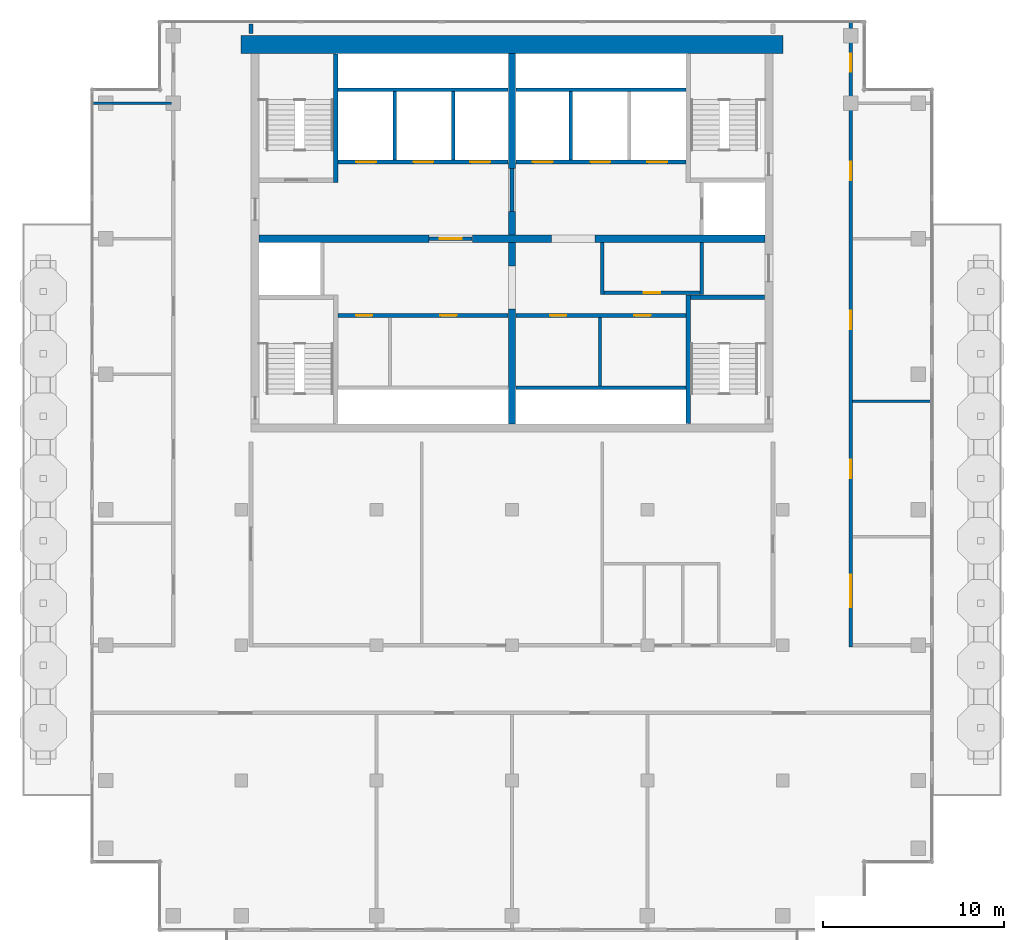
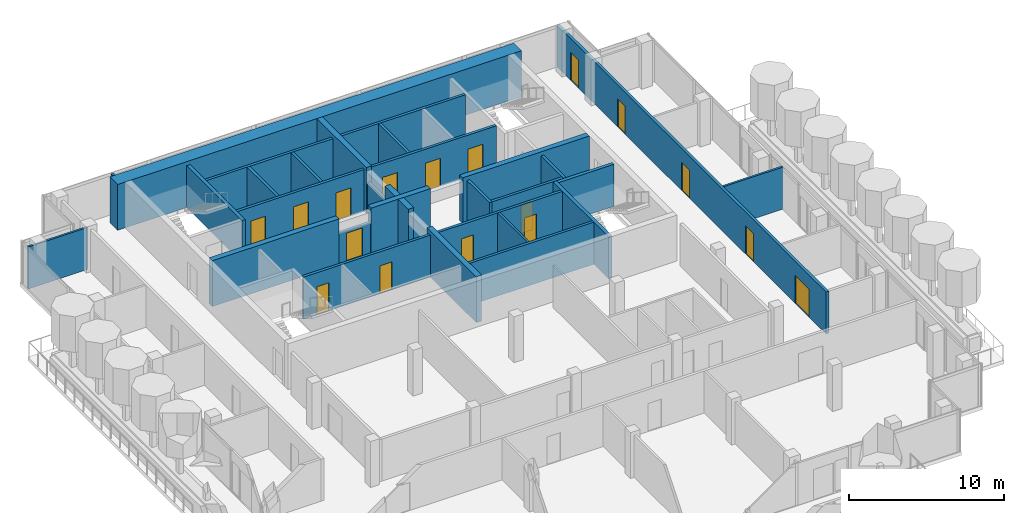
# One storey, part 8 of 12: 31 walls, 17 doors, 17 openings.
"""IFC4 building model written with IfcOpenShell, lengths in metres."""

from ifc_helpers import new_model, si_unit, direction, frame, frame_2d, origin, place, context, subcontext, project, spatial, rectangle, extrude, material, layer, layer_set, type_object, element, fill, save


model = new_model("IFC4")

# Units and contexts
model_context = context("Model", 3, precision=1e-05, world=origin(), true_north=direction((0.0, 1.0)))
body_context = subcontext(model_context, "Body", "Model", "MODEL_VIEW")
ifc_project = project(units=[si_unit("LENGTHUNIT", "METRE"), si_unit("AREAUNIT", "SQUARE_METRE"), si_unit("VOLUMEUNIT", "CUBIC_METRE"), si_unit("PLANEANGLEUNIT", "RADIAN"), si_unit("MASSUNIT", "GRAM", prefix="KILO")], contexts=[model_context])

# Site, building, storey
site_placement = place(None, origin())
site = spatial("IfcSite", under=ifc_project, at=site_placement, CompositionType="ELEMENT")
building_placement = place(site_placement, origin())
building = spatial("IfcBuilding", under=site, at=building_placement, Name="Pilkhan Gate Tower", CompositionType="ELEMENT")
storey_placement = place(building_placement, frame((0.0, 0.0, 258.5)))
storey = spatial("IfcBuildingStorey", under=building, at=storey_placement, Name="L67", CompositionType="ELEMENT", Elevation=258.5)

# Walls
ifc_material_1 = material(Name="Concrete C50/60", Category="concrete")
ifc_layer_1 = layer(ifc_material_1, 1.0)
ifc_layer_set_1 = layer_set([ifc_layer_1], Name="Core wall CW1000 C50/60")
wall_type_1 = type_object("IfcWallType", Name="Core wall CW1000 C50/60", PredefinedType="SHEAR", material=ifc_layer_set_1)
wall_1_placement = place(storey_placement, frame((90.0, 93.25, 0.0), z_axis=(0.0, 0.0, 1.0), x_axis=(-1.0, 0.0, 0.0)))
element("IfcWall", 1, at=wall_1_placement, inside=storey, type_object=wall_type_1, Name="Core wall N L67", PredefinedType="SHEAR", context=body_context, shape_type="SweptSolid", body=[
    extrude(rectangle(XDim=30.0, YDim=1.0, at=frame_2d((15.0, 0.0))), origin(), (0.0, 0.0, 1.0), 3.60009765625),
])
ifc_material_2 = material(Name="Dense blockwork", Category="masonry")
ifc_layer_2 = layer(ifc_material_2, 0.199951171875)
ifc_layer_set_2 = layer_set([ifc_layer_2], Name="Corridor wall FW200")
wall_type_2 = type_object("IfcWallType", Name="Corridor wall FW200", PredefinedType="PARTITIONING", material=ifc_layer_set_2)
wall_2_placement = place(storey_placement, frame((60.550048828125, 93.8701171875, 0.0), z_axis=(0.0, 0.0, 1.0), x_axis=(0.0, 1.0, 0.0)))
element("IfcWall", 2, at=wall_2_placement, inside=storey, type_object=wall_type_2, Name="Partition L67", PredefinedType="PARTITIONING", context=body_context, shape_type="SweptSolid", body=[
    extrude(rectangle(XDim=0.52490234375, YDim=0.199951171875, at=frame_2d((0.262451171875, 0.0))), origin(), (0.0, 0.0, 1.0), 3.300048828125),
])

# Wall, openings, doors
wall_3_placement = place(storey_placement, frame((93.75, 59.89990234375, 0.0), z_axis=(0.0, 0.0, 1.0), x_axis=(0.0, 1.0, 0.0)))
wall_3 = element("IfcWall", 3, at=wall_3_placement, inside=storey, type_object=wall_type_2, Name="Partition L67", PredefinedType="PARTITIONING", context=body_context, shape_type="SweptSolid", body=[
    extrude(rectangle(XDim=34.614990234375, YDim=0.199951171875, at=frame_2d((17.3076171875, 0.0))), origin(), (0.0, 0.0, 1.0), 3.300048828125),
])
opening_1_placement = place(wall_3_placement, frame((2.199951171875, 0.0, 0.0)))
opening_1 = element("IfcOpeningElement", 4, at=opening_1_placement, cuts=wall_3, Name="Opening L67-26", PredefinedType="OPENING", context=body_context, shape_type="SweptSolid", body=[
    extrude(rectangle(XDim=1.800048828125, YDim=2.199951171875, at=frame_2d((0.89990234375, 1.10009765625))), frame((0.0, 0.10986328125, 0.0), z_axis=(0.0, -1.0, 0.0), x_axis=(1.0, 0.0, 0.0)), (0.0, 0.0, 1.0), 0.219970703125),
])
opening_2_placement = place(wall_3_placement, frame((9.35009765625, 0.0, 0.0)))
opening_2 = element("IfcOpeningElement", 5, at=opening_2_placement, cuts=wall_3, Name="Opening L67-27", PredefinedType="OPENING", context=body_context, shape_type="SweptSolid", body=[
    extrude(rectangle(XDim=1.0, YDim=2.199951171875, at=frame_2d((0.5, 1.10009765625))), frame((0.0, 0.10986328125, 0.0), z_axis=(0.0, -1.0, 0.0), x_axis=(1.0, 0.0, 0.0)), (0.0, 0.0, 1.0), 0.219970703125),
])
opening_3_placement = place(wall_3_placement, frame((17.60009765625, 0.0, 0.0)))
opening_3 = element("IfcOpeningElement", 6, at=opening_3_placement, cuts=wall_3, Name="Opening L67-28", PredefinedType="OPENING", context=body_context, shape_type="SweptSolid", body=[
    extrude(rectangle(XDim=1.0, YDim=2.199951171875, at=frame_2d((0.5, 1.10009765625))), frame((0.0, 0.10986328125, 0.0), z_axis=(0.0, -1.0, 0.0), x_axis=(1.0, 0.0, 0.0)), (0.0, 0.0, 1.0), 0.219970703125),
])
opening_4_placement = place(wall_3_placement, frame((25.85009765625, 0.0, 0.0)))
opening_4 = element("IfcOpeningElement", 7, at=opening_4_placement, cuts=wall_3, Name="Opening L67-29", PredefinedType="OPENING", context=body_context, shape_type="SweptSolid", body=[
    extrude(rectangle(XDim=1.0, YDim=2.199951171875, at=frame_2d((0.5, 1.10009765625))), frame((0.0, 0.10986328125, 0.0), z_axis=(0.0, -1.0, 0.0), x_axis=(1.0, 0.0, 0.0)), (0.0, 0.0, 1.0), 0.219970703125),
])
opening_5_placement = place(wall_3_placement, frame((31.85009765625, 0.0, 0.0)))
opening_5 = element("IfcOpeningElement", 8, at=opening_5_placement, cuts=wall_3, Name="Opening L67-30", PredefinedType="OPENING", context=body_context, shape_type="SweptSolid", body=[
    extrude(rectangle(XDim=1.0, YDim=2.199951171875, at=frame_2d((0.5, 1.10009765625))), frame((0.0, 0.10986328125, 0.0), z_axis=(0.0, -1.0, 0.0), x_axis=(1.0, 0.0, 0.0)), (0.0, 0.0, 1.0), 0.219970703125),
])
ifc_material_3 = material(Name="Timber glazed double door, 30 minute fire resisting", Category="wood")
door_type_1 = type_object("IfcDoorType", Name="Double door D04 1800x2200", OperationType="DOUBLE_DOOR_SINGLE_SWING", PredefinedType="DOOR", material=ifc_material_3)
door_1_placement = place(opening_1_placement, origin())
door_1 = element("IfcDoor", 9, at=door_1_placement, inside=storey, type_object=door_type_1, Name="Double door", OperationType="DOUBLE_DOOR_SINGLE_SWING", OverallHeight=2.199951171875, OverallWidth=1.800048828125, PredefinedType="DOOR", context=body_context, shape_type="SweptSolid", body=[
    extrude(rectangle(XDim=1.800048828125, YDim=2.199951171875, at=frame_2d((0.89990234375, 1.10009765625))), frame((0.0, 0.02490234375, 0.0), z_axis=(0.0, -1.0, 0.0), x_axis=(1.0, 0.0, 0.0)), (0.0, 0.0, 1.0), 0.050048828125),
])
fill(opening_1, door_1)
ifc_material_4 = material(Name="Timber flush door, 30 minute fire resisting", Category="wood")
door_type_2 = type_object("IfcDoorType", Name="Room door D03 1000x2200", OperationType="SINGLE_SWING_LEFT", PredefinedType="DOOR", material=ifc_material_4)
door_2_placement = place(opening_2_placement, origin())
door_2 = element("IfcDoor", 10, at=door_2_placement, inside=storey, type_object=door_type_2, Name="Room door", OperationType="SINGLE_SWING_LEFT", OverallHeight=2.199951171875, OverallWidth=1.0, PredefinedType="DOOR", context=body_context, shape_type="SweptSolid", body=[
    extrude(rectangle(XDim=1.0, YDim=2.199951171875, at=frame_2d((0.5, 1.10009765625))), frame((0.0, 0.02490234375, 0.0), z_axis=(0.0, -1.0, 0.0), x_axis=(1.0, 0.0, 0.0)), (0.0, 0.0, 1.0), 0.050048828125),
])
fill(opening_2, door_2)
door_3_placement = place(opening_3_placement, origin())
door_3 = element("IfcDoor", 11, at=door_3_placement, inside=storey, type_object=door_type_2, Name="Room door", OperationType="SINGLE_SWING_LEFT", OverallHeight=2.199951171875, OverallWidth=1.0, PredefinedType="DOOR", context=body_context, shape_type="SweptSolid", body=[
    extrude(rectangle(XDim=1.0, YDim=2.199951171875, at=frame_2d((0.5, 1.10009765625))), frame((0.0, 0.02490234375, 0.0), z_axis=(0.0, -1.0, 0.0), x_axis=(1.0, 0.0, 0.0)), (0.0, 0.0, 1.0), 0.050048828125),
])
fill(opening_3, door_3)
door_4_placement = place(opening_4_placement, origin())
door_4 = element("IfcDoor", 12, at=door_4_placement, inside=storey, type_object=door_type_2, Name="Room door", OperationType="SINGLE_SWING_LEFT", OverallHeight=2.199951171875, OverallWidth=1.0, PredefinedType="DOOR", context=body_context, shape_type="SweptSolid", body=[
    extrude(rectangle(XDim=1.0, YDim=2.199951171875, at=frame_2d((0.5, 1.10009765625))), frame((0.0, 0.02490234375, 0.0), z_axis=(0.0, -1.0, 0.0), x_axis=(1.0, 0.0, 0.0)), (0.0, 0.0, 1.0), 0.050048828125),
])
fill(opening_4, door_4)
door_5_placement = place(opening_5_placement, origin())
door_5 = element("IfcDoor", 13, at=door_5_placement, inside=storey, type_object=door_type_2, Name="Room door", OperationType="SINGLE_SWING_LEFT", OverallHeight=2.199951171875, OverallWidth=1.0, PredefinedType="DOOR", context=body_context, shape_type="SweptSolid", body=[
    extrude(rectangle(XDim=1.0, YDim=2.199951171875, at=frame_2d((0.5, 1.10009765625))), frame((0.0, 0.02490234375, 0.0), z_axis=(0.0, -1.0, 0.0), x_axis=(1.0, 0.0, 0.0)), (0.0, 0.0, 1.0), 0.050048828125),
])
fill(opening_5, door_5)

# Wall
ifc_layer_3 = layer(ifc_material_2, 0.199951171875)
ifc_layer_set_3 = layer_set([ifc_layer_3], Name="Lobby wall LW200")
wall_type_3 = type_object("IfcWallType", Name="Lobby wall LW200", PredefinedType="PARTITIONING", material=ifc_layer_set_3)
wall_4_placement = place(storey_placement, frame((75.2099609375, 74.25, 0.0), z_axis=(0.0, 0.0, 1.0), x_axis=(1.0, 0.0, 0.0)))
element("IfcWall", 14, at=wall_4_placement, inside=storey, type_object=wall_type_3, Name="Partition L67", PredefinedType="PARTITIONING", context=body_context, shape_type="SweptSolid", body=[
    extrude(rectangle(XDim=9.4150390625, YDim=0.199951171875, at=frame_2d((4.70751953125, 0.0))), origin(), (0.0, 0.0, 1.0), 3.300048828125),
])

# Wall, openings, doors
wall_5_placement = place(storey_placement, frame((65.375, 78.25, 0.0), z_axis=(0.0, 0.0, 1.0), x_axis=(1.0, 0.0, 0.0)))
wall_5 = element("IfcWall", 15, at=wall_5_placement, inside=storey, type_object=wall_type_3, Name="Partition L67", PredefinedType="PARTITIONING", context=body_context, shape_type="SweptSolid", body=[
    extrude(rectangle(XDim=9.4150390625, YDim=0.199951171875, at=frame_2d((4.70751953125, 0.0))), origin(), (0.0, 0.0, 1.0), 3.300048828125),
])
opening_6_placement = place(wall_5_placement, frame((1.0, 0.0, 0.0)))
opening_6 = element("IfcOpeningElement", 16, at=opening_6_placement, cuts=wall_5, Name="Opening L67-11", PredefinedType="OPENING", context=body_context, shape_type="SweptSolid", body=[
    extrude(rectangle(XDim=0.89990234375, YDim=2.199951171875, at=frame_2d((0.449951171875, 1.10009765625))), frame((0.0, 0.10986328125, 0.0), z_axis=(0.0, -1.0, 0.0), x_axis=(1.0, 0.0, 0.0)), (0.0, 0.0, 1.0), 0.219970703125),
])
opening_7_placement = place(wall_5_placement, frame((5.6650390625, 0.0, 0.0)))
opening_7 = element("IfcOpeningElement", 17, at=opening_7_placement, cuts=wall_5, Name="Opening L67-12", PredefinedType="OPENING", context=body_context, shape_type="SweptSolid", body=[
    extrude(rectangle(XDim=0.89990234375, YDim=2.199951171875, at=frame_2d((0.449951171875, 1.10009765625))), frame((0.0, 0.10986328125, 0.0), z_axis=(0.0, -1.0, 0.0), x_axis=(1.0, 0.0, 0.0)), (0.0, 0.0, 1.0), 0.219970703125),
])
ifc_material_5 = material(Name="Timber flush door, 60 minute fire resisting, self-closing", Category="wood")
door_type_3 = type_object("IfcDoorType", Name="Store door D05 900x2200", OperationType="SINGLE_SWING_LEFT", PredefinedType="DOOR", material=ifc_material_5)
door_6_placement = place(opening_6_placement, origin())
door_6 = element("IfcDoor", 18, at=door_6_placement, inside=storey, type_object=door_type_3, Name="Store door", OperationType="SINGLE_SWING_LEFT", OverallHeight=2.199951171875, OverallWidth=0.89990234375, PredefinedType="DOOR", context=body_context, shape_type="SweptSolid", body=[
    extrude(rectangle(XDim=0.89990234375, YDim=2.199951171875, at=frame_2d((0.449951171875, 1.10009765625))), frame((0.0, 0.02490234375, 0.0), z_axis=(0.0, -1.0, 0.0), x_axis=(1.0, 0.0, 0.0)), (0.0, 0.0, 1.0), 0.050048828125),
])
fill(opening_6, door_6)
door_7_placement = place(opening_7_placement, origin())
door_7 = element("IfcDoor", 19, at=door_7_placement, inside=storey, type_object=door_type_3, Name="Store door", OperationType="SINGLE_SWING_LEFT", OverallHeight=2.199951171875, OverallWidth=0.89990234375, PredefinedType="DOOR", context=body_context, shape_type="SweptSolid", body=[
    extrude(rectangle(XDim=0.89990234375, YDim=2.199951171875, at=frame_2d((0.449951171875, 1.10009765625))), frame((0.0, 0.02490234375, 0.0), z_axis=(0.0, -1.0, 0.0), x_axis=(1.0, 0.0, 0.0)), (0.0, 0.0, 1.0), 0.050048828125),
])
fill(opening_7, door_7)

wall_6_placement = place(storey_placement, frame((75.2099609375, 78.25, 0.0), z_axis=(0.0, 0.0, 1.0), x_axis=(1.0, 0.0, 0.0)))
wall_6 = element("IfcWall", 20, at=wall_6_placement, inside=storey, type_object=wall_type_3, Name="Partition L67", PredefinedType="PARTITIONING", context=body_context, shape_type="SweptSolid", body=[
    extrude(rectangle(XDim=9.4150390625, YDim=0.199951171875, at=frame_2d((4.70751953125, 0.0))), origin(), (0.0, 0.0, 1.0), 3.300048828125),
])
opening_8_placement = place(wall_6_placement, frame((1.89990234375, 0.0, 0.0)))
opening_8 = element("IfcOpeningElement", 21, at=opening_8_placement, cuts=wall_6, Name="Opening L67-13", PredefinedType="OPENING", context=body_context, shape_type="SweptSolid", body=[
    extrude(rectangle(XDim=0.89990234375, YDim=2.199951171875, at=frame_2d((0.449951171875, 1.10009765625))), frame((0.0, 0.10986328125, 0.0), z_axis=(0.0, -1.0, 0.0), x_axis=(1.0, 0.0, 0.0)), (0.0, 0.0, 1.0), 0.219970703125),
])
opening_9_placement = place(wall_6_placement, frame((6.56494140625, 0.0, 0.0)))
opening_9 = element("IfcOpeningElement", 22, at=opening_9_placement, cuts=wall_6, Name="Opening L67-14", PredefinedType="OPENING", context=body_context, shape_type="SweptSolid", body=[
    extrude(rectangle(XDim=0.89990234375, YDim=2.199951171875, at=frame_2d((0.449951171875, 1.10009765625))), frame((0.0, 0.10986328125, 0.0), z_axis=(0.0, -1.0, 0.0), x_axis=(1.0, 0.0, 0.0)), (0.0, 0.0, 1.0), 0.219970703125),
])
door_8_placement = place(opening_8_placement, origin())
door_8 = element("IfcDoor", 23, at=door_8_placement, inside=storey, type_object=door_type_3, Name="Store door", OperationType="SINGLE_SWING_RIGHT", OverallHeight=2.199951171875, OverallWidth=0.89990234375, PredefinedType="DOOR", context=body_context, shape_type="SweptSolid", body=[
    extrude(rectangle(XDim=0.89990234375, YDim=2.199951171875, at=frame_2d((0.449951171875, 1.10009765625))), frame((0.0, 0.02490234375, 0.0), z_axis=(0.0, -1.0, 0.0), x_axis=(1.0, 0.0, 0.0)), (0.0, 0.0, 1.0), 0.050048828125),
])
fill(opening_8, door_8)
door_9_placement = place(opening_9_placement, origin())
door_9 = element("IfcDoor", 24, at=door_9_placement, inside=storey, type_object=door_type_3, Name="Store door", OperationType="SINGLE_SWING_RIGHT", OverallHeight=2.199951171875, OverallWidth=0.89990234375, PredefinedType="DOOR", context=body_context, shape_type="SweptSolid", body=[
    extrude(rectangle(XDim=0.89990234375, YDim=2.199951171875, at=frame_2d((0.449951171875, 1.10009765625))), frame((0.0, 0.02490234375, 0.0), z_axis=(0.0, -1.0, 0.0), x_axis=(1.0, 0.0, 0.0)), (0.0, 0.0, 1.0), 0.050048828125),
])
fill(opening_9, door_9)

# Wall, opening, door
wall_7_placement = place(storey_placement, frame((80.10009765625, 79.5, 0.0), z_axis=(0.0, 0.0, 1.0), x_axis=(1.0, 0.0, 0.0)))
wall_7 = element("IfcWall", 25, at=wall_7_placement, inside=storey, type_object=wall_type_3, Name="Partition L67", PredefinedType="PARTITIONING", context=body_context, shape_type="SweptSolid", body=[
    extrude(rectangle(XDim=5.2998046875, YDim=0.199951171875, at=frame_2d((2.64990234375, 0.0))), origin(), (0.0, 0.0, 1.0), 3.300048828125),
])
opening_10_placement = place(wall_7_placement, frame((2.199951171875, 0.0, 0.0)))
opening_10 = element("IfcOpeningElement", 26, at=opening_10_placement, cuts=wall_7, Name="Opening L67-09", PredefinedType="OPENING", context=body_context, shape_type="SweptSolid", body=[
    extrude(rectangle(XDim=0.89990234375, YDim=2.199951171875, at=frame_2d((0.449951171875, 1.10009765625))), frame((0.0, 0.10986328125, 0.0), z_axis=(0.0, -1.0, 0.0), x_axis=(1.0, 0.0, 0.0)), (0.0, 0.0, 1.0), 0.219970703125),
])
door_10_placement = place(opening_10_placement, origin())
door_10 = element("IfcDoor", 27, at=door_10_placement, inside=storey, type_object=door_type_3, Name="Store door", OperationType="SINGLE_SWING_LEFT", OverallHeight=2.199951171875, OverallWidth=0.89990234375, PredefinedType="DOOR", context=body_context, shape_type="SweptSolid", body=[
    extrude(rectangle(XDim=0.89990234375, YDim=2.199951171875, at=frame_2d((0.449951171875, 1.10009765625))), frame((0.0, 0.02490234375, 0.0), z_axis=(0.0, -1.0, 0.0), x_axis=(1.0, 0.0, 0.0)), (0.0, 0.0, 1.0), 0.050048828125),
])
fill(opening_10, door_10)

wall_8_placement = place(storey_placement, frame((70.409912109375, 82.5, 0.0), z_axis=(0.0, 0.0, 1.0), x_axis=(1.0, 0.0, 0.0)))
wall_8 = element("IfcWall", 28, at=wall_8_placement, inside=storey, type_object=wall_type_3, Name="Partition L67", PredefinedType="PARTITIONING", context=body_context, shape_type="SweptSolid", body=[
    extrude(rectangle(XDim=2.380126953125, YDim=0.199951171875, at=frame_2d((1.18994140625, 0.0))), origin(), (0.0, 0.0, 1.0), 2.39990234375),
])
opening_11_placement = place(wall_8_placement, frame((0.60009765625, 0.0, 0.0)))
opening_11 = element("IfcOpeningElement", 29, at=opening_11_placement, cuts=wall_8, Name="Opening L67-01", PredefinedType="OPENING", context=body_context, shape_type="SweptSolid", body=[
    extrude(rectangle(XDim=1.199951171875, YDim=2.199951171875, at=frame_2d((0.60009765625, 1.10009765625))), frame((0.0, 0.10986328125, 0.0), z_axis=(0.0, -1.0, 0.0), x_axis=(1.0, 0.0, 0.0)), (0.0, 0.0, 1.0), 0.219970703125),
])
ifc_material_6 = material(Name="Steel door, 120 minute fire resisting, self-closing", Category="steel")
door_type_4 = type_object("IfcDoorType", Name="Firefighting lobby door D10 1200x2200", OperationType="SINGLE_SWING_LEFT", PredefinedType="DOOR", material=ifc_material_6)
door_11_placement = place(opening_11_placement, origin())
door_11 = element("IfcDoor", 30, at=door_11_placement, inside=storey, type_object=door_type_4, Name="Firefighting lobby door", OperationType="SINGLE_SWING_LEFT", OverallHeight=2.199951171875, OverallWidth=1.199951171875, PredefinedType="DOOR", context=body_context, shape_type="SweptSolid", body=[
    extrude(rectangle(XDim=1.199951171875, YDim=2.199951171875, at=frame_2d((0.60009765625, 1.10009765625))), frame((0.0, 0.02490234375, 0.0), z_axis=(0.0, -1.0, 0.0), x_axis=(1.0, 0.0, 0.0)), (0.0, 0.0, 1.0), 0.050048828125),
])
fill(opening_11, door_11)

# Walls
wall_9_placement = place(storey_placement, frame((75.0, 84.010009765625, 0.0), z_axis=(0.0, 0.0, 1.0), x_axis=(0.0, 1.0, 0.0)))
element("IfcWall", 31, at=wall_9_placement, inside=storey, type_object=wall_type_3, Name="Partition L67", PredefinedType="PARTITIONING", context=body_context, shape_type="SweptSolid", body=[
    extrude(rectangle(XDim=2.3798828125, YDim=0.199951171875, at=frame_2d((1.18994140625, 0.0))), origin(), (0.0, 0.0, 1.0), 2.39990234375),
])
for number, where, z_axis, x_axis, name in (
    (32, (80.0, 79.39990234375, 0.0), (0.0, 0.0, 1.0), (0.0, 1.0, 0.0), "Partition L67"),
    (33, (85.5, 79.39990234375, 0.0), (0.0, 0.0, 1.0), (0.0, 1.0, 0.0), "Partition L67"),
):
    element("IfcWall", number, at=place(storey_placement, frame(where, z_axis=z_axis, x_axis=x_axis)), inside=storey, type_object=wall_type_3, Name=name, PredefinedType="PARTITIONING", context=body_context, shape_type="SweptSolid", body=[
        extrude(rectangle(XDim=2.89013671875, YDim=0.199951171875, at=frame_2d((1.445068359375, 0.0))), origin(), (0.0, 0.0, 1.0), 3.300048828125),
    ])
ifc_material_7 = material(Name="Blockwork partition, plastered both sides", Category="masonry")
ifc_layer_4 = layer(ifc_material_7, 0.14990234375)
ifc_layer_set_4 = layer_set([ifc_layer_4], Name="Partition PW150")
wall_type_4 = type_object("IfcWallType", Name="Partition PW150", PredefinedType="PARTITIONING", material=ifc_layer_set_4)
for number, where, z_axis, x_axis, name in (
    (34, (93.85009765625, 73.5, 0.0), (0.0, 0.0, 1.0), (1.0, 0.0, 0.0), "Partition L67"),
    (35, (51.735107421875, 90.0, 0.0), (0.0, 0.0, 1.0), (1.0, 0.0, 0.0), "Partition L67"),
):
    element("IfcWall", number, at=place(storey_placement, frame(where, z_axis=z_axis, x_axis=x_axis)), inside=storey, type_object=wall_type_4, Name=name, PredefinedType="PARTITIONING", context=body_context, shape_type="SweptSolid", body=[
        extrude(rectangle(XDim=4.414794921875, YDim=0.14990234375, at=frame_2d((2.20751953125, 0.0))), origin(), (0.0, 0.0, 1.0), 3.300048828125),
    ])
wall_10_placement = place(storey_placement, frame((79.875, 74.35009765625, 0.0), z_axis=(0.0, 0.0, 1.0), x_axis=(0.0, 1.0, 0.0)))
element("IfcWall", 36, at=wall_10_placement, inside=storey, type_object=wall_type_4, Name="Partition L67", PredefinedType="PARTITIONING", context=body_context, shape_type="SweptSolid", body=[
    extrude(rectangle(XDim=3.7998046875, YDim=0.14990234375, at=frame_2d((1.89990234375, 0.0))), origin(), (0.0, 0.0, 1.0), 3.300048828125),
])

# Wall, openings, doors
ifc_material_8 = material(Name="Reinforced blockwork shaft wall, 120 minute fire resisting", Category="masonry")
ifc_layer_5 = layer(ifc_material_8, 0.199951171875)
ifc_layer_set_5 = layer_set([ifc_layer_5], Name="Shaft wall SW200")
wall_type_5 = type_object("IfcWallType", Name="Shaft wall SW200", PredefinedType="PARTITIONING", material=ifc_layer_set_5)
wall_11_placement = place(storey_placement, frame((65.375, 86.75, 0.0), z_axis=(0.0, 0.0, 1.0), x_axis=(1.0, 0.0, 0.0)))
wall_11 = element("IfcWall", 37, at=wall_11_placement, inside=storey, type_object=wall_type_5, Name="Partition L67", PredefinedType="PARTITIONING", context=body_context, shape_type="SweptSolid", body=[
    extrude(rectangle(XDim=9.4150390625, YDim=0.199951171875, at=frame_2d((4.70751953125, 0.0))), origin(), (0.0, 0.0, 1.0), 3.300048828125),
])
opening_12_placement = place(wall_11_placement, frame((1.0, 0.0, 0.0)))
opening_12 = element("IfcOpeningElement", 38, at=opening_12_placement, cuts=wall_11, Name="Opening LD", PredefinedType="OPENING", context=body_context, shape_type="SweptSolid", body=[
    extrude(rectangle(XDim=1.10009765625, YDim=2.199951171875, at=frame_2d((0.550048828125, 1.10009765625))), frame((0.0, 0.10986328125, 0.0), z_axis=(0.0, -1.0, 0.0), x_axis=(1.0, 0.0, 0.0)), (0.0, 0.0, 1.0), 0.219970703125),
])
opening_13_placement = place(wall_11_placement, frame((4.175048828125, 0.0, 0.0)))
opening_13 = element("IfcOpeningElement", 39, at=opening_13_placement, cuts=wall_11, Name="Opening LD", PredefinedType="OPENING", context=body_context, shape_type="SweptSolid", body=[
    extrude(rectangle(XDim=1.10009765625, YDim=2.199951171875, at=frame_2d((0.550048828125, 1.10009765625))), frame((0.0, 0.10986328125, 0.0), z_axis=(0.0, -1.0, 0.0), x_axis=(1.0, 0.0, 0.0)), (0.0, 0.0, 1.0), 0.219970703125),
])
opening_14_placement = place(wall_11_placement, frame((7.324951171875, 0.0, 0.0)))
opening_14 = element("IfcOpeningElement", 40, at=opening_14_placement, cuts=wall_11, Name="Opening LD", PredefinedType="OPENING", context=body_context, shape_type="SweptSolid", body=[
    extrude(rectangle(XDim=1.10009765625, YDim=2.199951171875, at=frame_2d((0.550048828125, 1.10009765625))), frame((0.0, 0.10986328125, 0.0), z_axis=(0.0, -1.0, 0.0), x_axis=(1.0, 0.0, 0.0)), (0.0, 0.0, 1.0), 0.219970703125),
])
ifc_material_9 = material(Name="Stainless steel centre-opening landing door, 120 minute fire resisting", Category="steel")
door_type_5 = type_object("IfcDoorType", Name="Lift landing door LD 1100x2200", OperationType="DOUBLE_DOOR_SLIDING", PredefinedType="DOOR", material=ifc_material_9)
door_12_placement = place(opening_12_placement, origin())
door_12 = element("IfcDoor", 41, at=door_12_placement, inside=storey, type_object=door_type_5, Name="Landing door FF1", OperationType="DOUBLE_DOOR_SLIDING", OverallHeight=2.199951171875, OverallWidth=1.10009765625, PredefinedType="DOOR", context=body_context, shape_type="SweptSolid", body=[
    extrude(rectangle(XDim=1.10009765625, YDim=2.199951171875, at=frame_2d((0.550048828125, 1.10009765625))), frame((0.0, 0.02490234375, 0.0), z_axis=(0.0, -1.0, 0.0), x_axis=(1.0, 0.0, 0.0)), (0.0, 0.0, 1.0), 0.050048828125),
])
fill(opening_12, door_12)
door_13_placement = place(opening_13_placement, origin())
door_13 = element("IfcDoor", 42, at=door_13_placement, inside=storey, type_object=door_type_5, Name="Landing door FF2", OperationType="DOUBLE_DOOR_SLIDING", OverallHeight=2.199951171875, OverallWidth=1.10009765625, PredefinedType="DOOR", context=body_context, shape_type="SweptSolid", body=[
    extrude(rectangle(XDim=1.10009765625, YDim=2.199951171875, at=frame_2d((0.550048828125, 1.10009765625))), frame((0.0, 0.02490234375, 0.0), z_axis=(0.0, -1.0, 0.0), x_axis=(1.0, 0.0, 0.0)), (0.0, 0.0, 1.0), 0.050048828125),
])
fill(opening_13, door_13)
door_14_placement = place(opening_14_placement, origin())
door_14 = element("IfcDoor", 43, at=door_14_placement, inside=storey, type_object=door_type_5, Name="Landing door SV1", OperationType="DOUBLE_DOOR_SLIDING", OverallHeight=2.199951171875, OverallWidth=1.10009765625, PredefinedType="DOOR", context=body_context, shape_type="SweptSolid", body=[
    extrude(rectangle(XDim=1.10009765625, YDim=2.199951171875, at=frame_2d((0.550048828125, 1.10009765625))), frame((0.0, 0.02490234375, 0.0), z_axis=(0.0, -1.0, 0.0), x_axis=(1.0, 0.0, 0.0)), (0.0, 0.0, 1.0), 0.050048828125),
])
fill(opening_14, door_14)

wall_12_placement = place(storey_placement, frame((75.2099609375, 86.75, 0.0), z_axis=(0.0, 0.0, 1.0), x_axis=(1.0, 0.0, 0.0)))
wall_12 = element("IfcWall", 44, at=wall_12_placement, inside=storey, type_object=wall_type_5, Name="Partition L67", PredefinedType="PARTITIONING", context=body_context, shape_type="SweptSolid", body=[
    extrude(rectangle(XDim=9.4150390625, YDim=0.199951171875, at=frame_2d((4.70751953125, 0.0))), origin(), (0.0, 0.0, 1.0), 3.300048828125),
])
opening_15_placement = place(wall_12_placement, frame((0.949951171875, 0.0, 0.0)))
opening_15 = element("IfcOpeningElement", 45, at=opening_15_placement, cuts=wall_12, Name="Opening LD", PredefinedType="OPENING", context=body_context, shape_type="SweptSolid", body=[
    extrude(rectangle(XDim=1.10009765625, YDim=2.199951171875, at=frame_2d((0.550048828125, 1.10009765625))), frame((0.0, 0.10986328125, 0.0), z_axis=(0.0, -1.0, 0.0), x_axis=(1.0, 0.0, 0.0)), (0.0, 0.0, 1.0), 0.219970703125),
])
opening_16_placement = place(wall_12_placement, frame((4.139892578125, 0.0, 0.0)))
opening_16 = element("IfcOpeningElement", 46, at=opening_16_placement, cuts=wall_12, Name="Opening LD", PredefinedType="OPENING", context=body_context, shape_type="SweptSolid", body=[
    extrude(rectangle(XDim=1.10009765625, YDim=2.199951171875, at=frame_2d((0.550048828125, 1.10009765625))), frame((0.0, 0.10986328125, 0.0), z_axis=(0.0, -1.0, 0.0), x_axis=(1.0, 0.0, 0.0)), (0.0, 0.0, 1.0), 0.219970703125),
])
opening_17_placement = place(wall_12_placement, frame((7.2900390625, 0.0, 0.0)))
opening_17 = element("IfcOpeningElement", 47, at=opening_17_placement, cuts=wall_12, Name="Opening LD", PredefinedType="OPENING", context=body_context, shape_type="SweptSolid", body=[
    extrude(rectangle(XDim=1.10009765625, YDim=2.199951171875, at=frame_2d((0.550048828125, 1.10009765625))), frame((0.0, 0.10986328125, 0.0), z_axis=(0.0, -1.0, 0.0), x_axis=(1.0, 0.0, 0.0)), (0.0, 0.0, 1.0), 0.219970703125),
])
door_15_placement = place(opening_15_placement, origin())
door_15 = element("IfcDoor", 48, at=door_15_placement, inside=storey, type_object=door_type_5, Name="Landing door HR1", OperationType="DOUBLE_DOOR_SLIDING", OverallHeight=2.199951171875, OverallWidth=1.10009765625, PredefinedType="DOOR", context=body_context, shape_type="SweptSolid", body=[
    extrude(rectangle(XDim=1.10009765625, YDim=2.199951171875, at=frame_2d((0.550048828125, 1.10009765625))), frame((0.0, 0.02490234375, 0.0), z_axis=(0.0, -1.0, 0.0), x_axis=(1.0, 0.0, 0.0)), (0.0, 0.0, 1.0), 0.050048828125),
])
fill(opening_15, door_15)
door_16_placement = place(opening_16_placement, origin())
door_16 = element("IfcDoor", 49, at=door_16_placement, inside=storey, type_object=door_type_5, Name="Landing door HR2", OperationType="DOUBLE_DOOR_SLIDING", OverallHeight=2.199951171875, OverallWidth=1.10009765625, PredefinedType="DOOR", context=body_context, shape_type="SweptSolid", body=[
    extrude(rectangle(XDim=1.10009765625, YDim=2.199951171875, at=frame_2d((0.550048828125, 1.10009765625))), frame((0.0, 0.02490234375, 0.0), z_axis=(0.0, -1.0, 0.0), x_axis=(1.0, 0.0, 0.0)), (0.0, 0.0, 1.0), 0.050048828125),
])
fill(opening_16, door_16)
door_17_placement = place(opening_17_placement, origin())
door_17 = element("IfcDoor", 50, at=door_17_placement, inside=storey, type_object=door_type_5, Name="Landing door HR3", OperationType="DOUBLE_DOOR_SLIDING", OverallHeight=2.199951171875, OverallWidth=1.10009765625, PredefinedType="DOOR", context=body_context, shape_type="SweptSolid", body=[
    extrude(rectangle(XDim=1.10009765625, YDim=2.199951171875, at=frame_2d((0.550048828125, 1.10009765625))), frame((0.0, 0.02490234375, 0.0), z_axis=(0.0, -1.0, 0.0), x_axis=(1.0, 0.0, 0.0)), (0.0, 0.0, 1.0), 0.050048828125),
])
fill(opening_17, door_17)

# Walls
for number, where, z_axis, x_axis, name in (
    (51, (65.375, 90.75, 0.0), (0.0, 0.0, 1.0), (1.0, 0.0, 0.0), "Partition L67"),
    (52, (75.2099609375, 90.75, 0.0), (0.0, 0.0, 1.0), (1.0, 0.0, 0.0), "Partition L67"),
):
    element("IfcWall", number, at=place(storey_placement, frame(where, z_axis=z_axis, x_axis=x_axis)), inside=storey, type_object=wall_type_5, Name=name, PredefinedType="PARTITIONING", context=body_context, shape_type="SweptSolid", body=[
        extrude(rectangle(XDim=9.4150390625, YDim=0.199951171875, at=frame_2d((4.70751953125, 0.0))), origin(), (0.0, 0.0, 1.0), 3.300048828125),
    ])
for number, where, z_axis, x_axis, name in (
    (53, (68.5, 86.85009765625, 0.0), (0.0, 0.0, 1.0), (0.0, 1.0, 0.0), "Partition L67"),
    (54, (71.75, 86.85009765625, 0.0), (0.0, 0.0, 1.0), (0.0, 1.0, 0.0), "Partition L67"),
    (55, (78.25, 86.85009765625, 0.0), (0.0, 0.0, 1.0), (0.0, 1.0, 0.0), "Partition L67"),
):
    element("IfcWall", number, at=place(storey_placement, frame(where, z_axis=z_axis, x_axis=x_axis)), inside=storey, type_object=wall_type_5, Name=name, PredefinedType="PARTITIONING", context=body_context, shape_type="SweptSolid", body=[
        extrude(rectangle(XDim=3.7998046875, YDim=0.199951171875, at=frame_2d((1.89990234375, 0.0))), origin(), (0.0, 0.0, 1.0), 3.300048828125),
    ])
ifc_layer_6 = layer(ifc_material_1, 0.39990234375)
ifc_layer_set_6 = layer_set([ifc_layer_6], Name="Spine wall SW400 C50/60")
wall_type_6 = type_object("IfcWallType", Name="Spine wall SW400 C50/60", PredefinedType="SHEAR", material=ifc_layer_set_6)
wall_13_placement = place(storey_placement, frame((61.0, 82.5, 0.0), z_axis=(0.0, 0.0, 1.0), x_axis=(1.0, 0.0, 0.0)))
element("IfcWall", 56, at=wall_13_placement, inside=storey, type_object=wall_type_6, Name="Spine wall SP-EW1 L67", PredefinedType="SHEAR", context=body_context, shape_type="SweptSolid", body=[
    extrude(rectangle(XDim=9.39990234375, YDim=0.39990234375, at=frame_2d((4.699951171875, 0.0))), origin(), (0.0, 0.0, 1.0), 3.60009765625),
])
wall_14_placement = place(storey_placement, frame((72.800048828125, 82.5, 0.0), z_axis=(0.0, 0.0, 1.0), x_axis=(1.0, 0.0, 0.0)))
element("IfcWall", 57, at=wall_14_placement, inside=storey, type_object=wall_type_6, Name="Spine wall SP-EW2 L67", PredefinedType="SHEAR", context=body_context, shape_type="SweptSolid", body=[
    extrude(rectangle(XDim=4.39990234375, YDim=0.39990234375, at=frame_2d((2.199951171875, 0.0))), origin(), (0.0, 0.0, 1.0), 3.60009765625),
])
wall_15_placement = place(storey_placement, frame((79.60009765625, 82.5, 0.0), z_axis=(0.0, 0.0, 1.0), x_axis=(1.0, 0.0, 0.0)))
element("IfcWall", 58, at=wall_15_placement, inside=storey, type_object=wall_type_6, Name="Spine wall SP-EW3 L67", PredefinedType="SHEAR", context=body_context, shape_type="SweptSolid", body=[
    extrude(rectangle(XDim=9.39990234375, YDim=0.39990234375, at=frame_2d((4.699951171875, 0.0))), origin(), (0.0, 0.0, 1.0), 3.60009765625),
])
wall_16_placement = place(storey_placement, frame((75.0, 72.25, 0.0), z_axis=(0.0, 0.0, 1.0), x_axis=(0.0, 1.0, 0.0)))
element("IfcWall", 59, at=wall_16_placement, inside=storey, type_object=wall_type_6, Name="Spine wall SP-NS-S1 L67", PredefinedType="SHEAR", context=body_context, shape_type="SweptSolid", body=[
    extrude(rectangle(XDim=6.35009765625, YDim=0.39990234375, at=frame_2d((3.175048828125, 0.0))), origin(), (0.0, 0.0, 1.0), 3.60009765625),
])
for number, where, z_axis, x_axis, name in (
    (60, (75.0, 81.0, 0.0), (0.0, 0.0, 1.0), (0.0, 1.0, 0.0), "Spine wall SP-NS-S2 L67"),
    (61, (75.0, 82.699951171875, 0.0), (0.0, 0.0, 1.0), (0.0, 1.0, 0.0), "Spine wall SP-NS-N1 L67"),
):
    element("IfcWall", number, at=place(storey_placement, frame(where, z_axis=z_axis, x_axis=x_axis)), inside=storey, type_object=wall_type_6, Name=name, PredefinedType="SHEAR", context=body_context, shape_type="SweptSolid", body=[
        extrude(rectangle(XDim=1.300048828125, YDim=0.39990234375, at=frame_2d((0.64990234375, 0.0))), origin(), (0.0, 0.0, 1.0), 3.60009765625),
    ])
wall_17_placement = place(storey_placement, frame((75.0, 86.39990234375, 0.0), z_axis=(0.0, 0.0, 1.0), x_axis=(0.0, 1.0, 0.0)))
element("IfcWall", 62, at=wall_17_placement, inside=storey, type_object=wall_type_6, Name="Spine wall SP-NS-N2 L67", PredefinedType="SHEAR", context=body_context, shape_type="SweptSolid", body=[
    extrude(rectangle(XDim=6.35009765625, YDim=0.39990234375, at=frame_2d((3.175048828125, 0.0))), origin(), (0.0, 0.0, 1.0), 3.60009765625),
])
ifc_material_10 = material(Name="Reinforced blockwork, 120 minute fire resisting", Category="masonry")
ifc_layer_7 = layer(ifc_material_10, 0.25)
ifc_layer_set_7 = layer_set([ifc_layer_7], Name="Stair enclosure wall SE250")
wall_type_7 = type_object("IfcWallType", Name="Stair enclosure wall SE250", PredefinedType="PARTITIONING", material=ifc_layer_set_7)
wall_18_placement = place(storey_placement, frame((84.875, 79.25, 0.0), z_axis=(0.0, 0.0, 1.0), x_axis=(1.0, 0.0, 0.0)))
element("IfcWall", 63, at=wall_18_placement, inside=storey, type_object=wall_type_7, Name="Partition L67", PredefinedType="PARTITIONING", context=body_context, shape_type="SweptSolid", body=[
    extrude(rectangle(XDim=4.114990234375, YDim=0.25, at=frame_2d((2.0576171875, 0.0))), origin(), (0.0, 0.0, 1.0), 3.300048828125),
])
for number, where, z_axis, x_axis, name in (
    (64, (65.25, 85.625, 0.0), (0.0, 0.0, 1.0), (0.0, 1.0, 0.0), "Partition L67"),
    (65, (84.75, 72.260009765625, 0.0), (0.0, 0.0, 1.0), (0.0, 1.0, 0.0), "Partition L67"),
):
    element("IfcWall", number, at=place(storey_placement, frame(where, z_axis=z_axis, x_axis=x_axis)), inside=storey, type_object=wall_type_7, Name=name, PredefinedType="PARTITIONING", context=body_context, shape_type="SweptSolid", body=[
        extrude(rectangle(XDim=7.114990234375, YDim=0.25, at=frame_2d((3.5576171875, 0.0))), origin(), (0.0, 0.0, 1.0), 3.300048828125),
    ])

save(model, "model.ifc")
